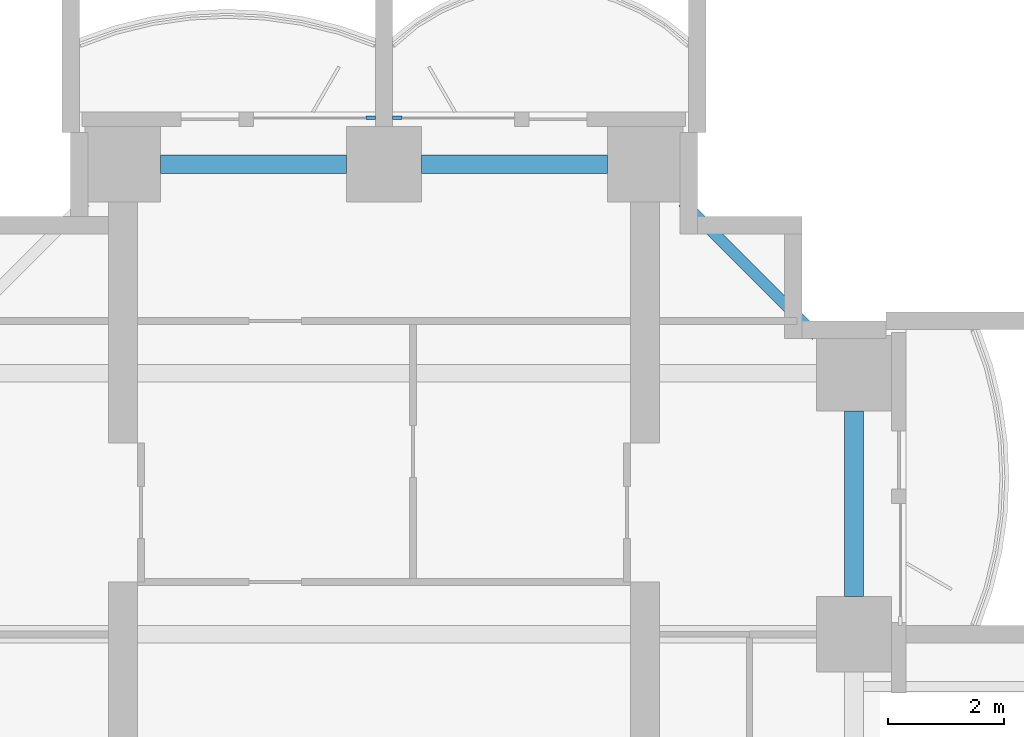
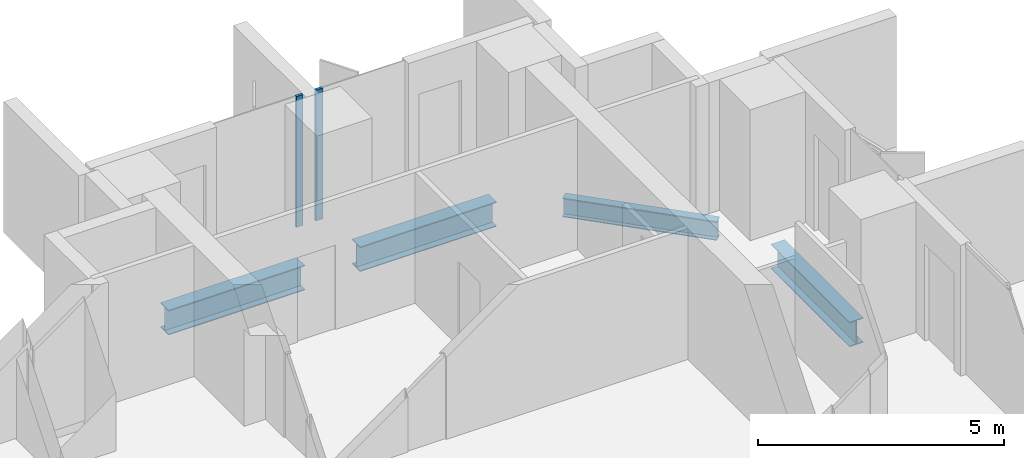
# One storey, part 8 of 21: 4 beams, 2 members, 2 elements without a shape of their own.
"""IFC4 building model written with IfcOpenShell, lengths in metres."""

from ifc_helpers import new_model, si_unit, direction, frame, origin, origin_2d, place, context, subcontext, project, spatial, rectangle, i_section, extrude, material, material_profile, profile_set, type_object, element, aggregate, save


model = new_model("IFC4")

# Units and contexts
model_context = context("Model", 3, precision=1e-05, world=origin(), true_north=direction((0.0, 1.0)))
body_context = subcontext(model_context, "Body", "Model", "MODEL_VIEW")
ifc_project = project(units=[si_unit("LENGTHUNIT", "METRE"), si_unit("AREAUNIT", "SQUARE_METRE"), si_unit("VOLUMEUNIT", "CUBIC_METRE"), si_unit("PLANEANGLEUNIT", "RADIAN"), si_unit("MASSUNIT", "GRAM", prefix="KILO")], contexts=[model_context])

# Site, building, storey
site_placement = place(None, origin())
site = spatial("IfcSite", under=ifc_project, at=site_placement, CompositionType="ELEMENT")
building_placement = place(site_placement, origin())
building = spatial("IfcBuilding", under=site, at=building_placement, Name="Perihelion Cross Residences", CompositionType="ELEMENT")
storey_placement = place(building_placement, frame((0.0, 0.0, 75.0)))
storey = spatial("IfcBuildingStorey", under=building, at=storey_placement, Name="L16", CompositionType="ELEMENT", Elevation=75.0)

# Curtain wall, member
ifc_material_1 = material(Name="Bronze anodised aluminium, tinted glazing", Category="aluminium")
curtain_wall_type = type_object("IfcCurtainWallType", Name="CW1", PredefinedType="NOTDEFINED", material=ifc_material_1)
curtain_wall_1_placement = place(storey_placement, origin())
curtain_wall_1 = element("IfcCurtainWall", 1, at=curtain_wall_1_placement, inside=storey, type_object=curtain_wall_type, Name="Curtain wall CW1 L16 north tip north bay 1", PredefinedType="NOTDEFINED")
ifc_material_2 = material(Name="Bronze anodised aluminium", Category="aluminium")
ifc_material_profile_1 = material_profile(ifc_material_2, rectangle(XDim=0.06005859375, YDim=0.159912109375, at=origin_2d()), Name="CW1 mullion")
ifc_profile_set_1 = profile_set([ifc_material_profile_1], Name="Bronze anodised aluminium")
member_type = type_object("IfcMemberType", Name="CW1 mullion", PredefinedType="MULLION", material=ifc_profile_set_1)
member_1_placement = place(storey_placement, frame((0.22998046875, 26.89990234375, 0.0), z_axis=(0.0, 0.0, 1.0), x_axis=(0.0, -1.0, 0.0)))
member_1 = element("IfcMember", 2, at=member_1_placement, type_object=member_type, Name="CW1 mullion 2", PredefinedType="MULLION", context=body_context, shape_type="SweptSolid", body=[
    extrude(rectangle(XDim=0.06005859375, YDim=0.159912109375, at=origin_2d()), origin(), (0.0, 0.0, 1.0), 3.25),
])
aggregate(curtain_wall_1, [member_1])

curtain_wall_2_placement = place(storey_placement, origin())
curtain_wall_2 = element("IfcCurtainWall", 3, at=curtain_wall_2_placement, inside=storey, type_object=curtain_wall_type, Name="Curtain wall CW1 L16 north tip north bay 2", PredefinedType="NOTDEFINED")
member_2_placement = place(storey_placement, frame((-0.22998046875, 26.89990234375, 0.0), z_axis=(0.0, 0.0, 1.0), x_axis=(0.0, -1.0, 0.0)))
member_2 = element("IfcMember", 4, at=member_2_placement, type_object=member_type, Name="CW1 mullion 1", PredefinedType="MULLION", context=body_context, shape_type="SweptSolid", body=[
    extrude(rectangle(XDim=0.06005859375, YDim=0.159912109375, at=origin_2d()), origin(), (0.0, 0.0, 1.0), 3.25),
])
aggregate(curtain_wall_2, [member_2])

# Beams
ifc_material_3 = material(Name="Steel S355", Category="steel")
ifc_material_profile_2 = material_profile(ifc_material_3, i_section(OverallWidth=0.324951171875, OverallDepth=0.616943359375, WebThickness=0.013916015625, FlangeThickness=0.021484375, at=origin_2d()), Name="W610x174")
ifc_profile_set_2 = profile_set([ifc_material_profile_2], Name="Steel S355")
beam_type_1 = type_object("IfcBeamType", Name="Edge beam W610x174", PredefinedType="SPANDREL", material=ifc_profile_set_2)
for number, where, z_axis, x_axis, name in (
    (5, (8.10009765625, 18.64990234375, -0.55859375), (0.0, 1.0, 0.0), (-1.0, 0.0, 0.0), "Edge beam SB2 L16 no. 19"),
    (6, (3.85009765625, 26.10009765625, -0.55859375), (-1.0, 0.0, 0.0), (0.0, -1.0, 0.0), "Edge beam SB2 L16 no. 15"),
    (7, (-0.64990234375, 26.10009765625, -0.55859375), (-1.0, 0.0, 0.0), (0.0, -1.0, 0.0), "Edge beam SB2 L16 no. 11"),
):
    element("IfcBeam", number, at=place(storey_placement, frame(where, z_axis=z_axis, x_axis=x_axis)), inside=storey, type_object=beam_type_1, Name=name, PredefinedType="SPANDREL", context=body_context, shape_type="SweptSolid", body=[
        extrude(i_section(OverallWidth=0.324951171875, OverallDepth=0.616943359375, WebThickness=0.013916015625, FlangeThickness=0.021484375, at=origin_2d()), origin(), (0.0, 0.0, 1.0), 3.2001953125),
    ])
ifc_material_4 = material(Name="Steel S355", Category="steel")
ifc_material_profile_3 = material_profile(ifc_material_4, i_section(OverallWidth=0.194091796875, OverallDepth=0.469970703125, WebThickness=0.0126953125, FlangeThickness=0.0205078125, at=origin_2d()), Name="W460x106")
ifc_profile_set_3 = profile_set([ifc_material_profile_3], Name="Steel S355")
beam_type_2 = type_object("IfcBeamType", Name="Serration edge beam W460x106", PredefinedType="BEAM", material=ifc_profile_set_3)
beam_placement = place(storey_placement, frame((7.449951171875, 23.14990234375, -0.485107421875), z_axis=(-0.707106781187, 0.707106781187, 0.0), x_axis=(-0.707106781187, -0.707106781187, 0.0)))
element("IfcBeam", 8, at=beam_placement, inside=storey, type_object=beam_type_2, Name="Serration edge beam EB2 L16 no. 4", PredefinedType="BEAM", context=body_context, shape_type="SweptSolid", body=[
    extrude(i_section(OverallWidth=0.194091796875, OverallDepth=0.469970703125, WebThickness=0.0126953125, FlangeThickness=0.0205078125, at=origin_2d()), origin(), (0.0, 0.0, 1.0), 3.252685546875),
])

save(model, "model.ifc")
